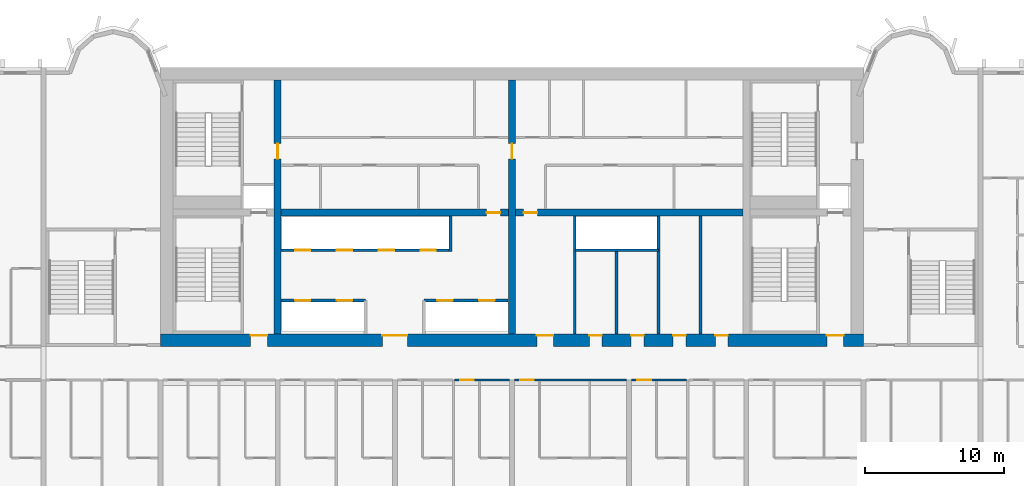
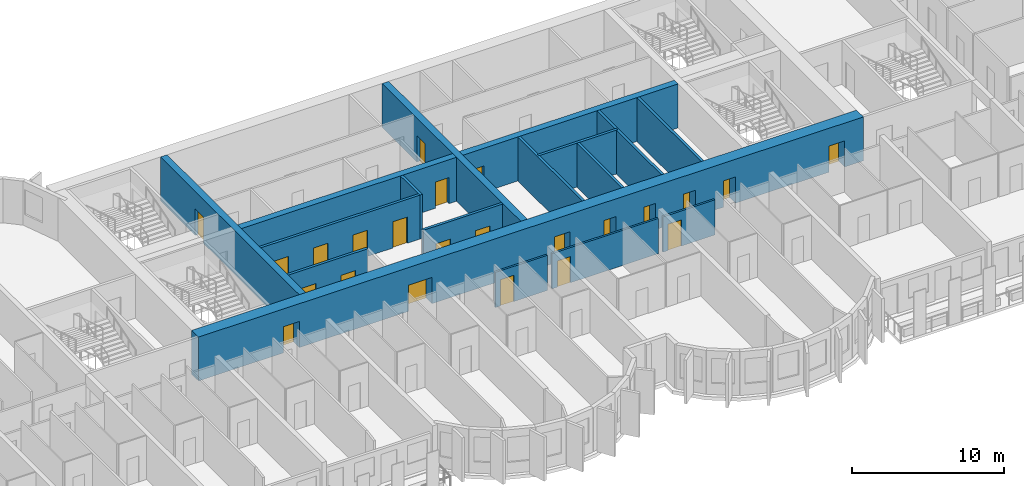
# One storey, part 6 of 15: 23 doors, 17 walls, 23 openings.
"""IFC4 building model written with IfcOpenShell, lengths in metres."""

import ifcopenshell
import ifcopenshell.guid

model = None  # the IFC model being written
_history = None  # IfcOwnerHistory: only IFC2X3 demands one
_inside = {}  # id of a spatial element -> (the spatial element, [elements in it])
_under = {}  # id of a project, library or spatial element -> (it, [spatial elements below it])
_declared = {}  # id of a project -> (the project, [libraries it declares])
_typed = {}  # id of a type object -> (the type object, [elements of that type])
_made_of = {}  # id of a material, layer set ... -> (it, [elements and type objects made of it])


def new_model(schema):
    """Start an empty IFC model of exactly this schema.

    Asked for "IFC4X3", IfcOpenShell would pick the latest addendum, in which some entities
    have other attributes; the version numbers below select the first issue.
    IFC2X3 requires an IfcOwnerHistory on every rooted entity: one is made here for all.
    """
    global model, _history
    if schema == "IFC4X3":
        model = ifcopenshell.file(schema_version=(4, 3, 0, 0))
    else:
        model = ifcopenshell.file(schema=schema)
    _inside.clear()
    _under.clear()
    _declared.clear()
    _typed.clear()
    _made_of.clear()
    _history = None
    if model.schema == "IFC2X3":
        org = make("IfcOrganization", Name="unknown")
        user = make(
            "IfcPersonAndOrganization",
            ThePerson=make("IfcPerson", FamilyName="unknown"),
            TheOrganization=org,
        )
        app = make(
            "IfcApplication",
            ApplicationDeveloper=org,
            Version="unknown",
            ApplicationFullName="unknown",
            ApplicationIdentifier="unknown",
        )
        _history = make(
            "IfcOwnerHistory",
            OwningUser=user,
            OwningApplication=app,
            ChangeAction="ADDED",
            CreationDate=0,
        )
    return model


def make(cls, **values):
    """One entity of the class cls with the attributes given. An attribute that is None is left unset."""
    return model.create_entity(
        cls, **{name: value for name, value in values.items() if value is not None}
    )


def rooted(cls, **values):
    """An entity with a GlobalId (a new one), such as an element, a storey or a relation."""
    return make(cls, GlobalId=ifcopenshell.guid.new(), OwnerHistory=_history, **values)


def si_unit(unit_type, name, prefix=None):
    """IfcSIUnit, for example si_unit("LENGTHUNIT", "METRE", prefix="MILLI")."""
    return make("IfcSIUnit", UnitType=unit_type, Prefix=prefix, Name=name)


def assignment(units):
    """IfcUnitAssignment: the units of a project."""
    return None if units is None else make("IfcUnitAssignment", Units=units)


def point(xyz):
    """IfcCartesianPoint."""
    return None if xyz is None else make("IfcCartesianPoint", Coordinates=xyz)


def direction(xyz):
    """IfcDirection."""
    return None if xyz is None else make("IfcDirection", DirectionRatios=xyz)


def frame(location, z_axis=None, x_axis=None):
    """IfcAxis2Placement3D, a coordinate frame: its origin and axes. An axis left out is left unset."""
    return make(
        "IfcAxis2Placement3D",
        Location=point(location),
        Axis=direction(z_axis),
        RefDirection=direction(x_axis),
    )


def frame_2d(location, x_axis=None):
    """IfcAxis2Placement2D, a coordinate frame in the plane: its origin and x axis."""
    return make(
        "IfcAxis2Placement2D", Location=point(location), RefDirection=direction(x_axis)
    )


def origin():
    """The frame at (0, 0, 0) with its axes left unset."""
    return frame((0.0, 0.0, 0.0))


def place(relative_to, where):
    """IfcLocalPlacement: puts the frame where relative to a parent placement (None: the world)."""
    return make(
        "IfcLocalPlacement", PlacementRelTo=relative_to, RelativePlacement=where
    )


def context(
    kind, dimensions, precision=None, world=None, true_north=None, identifier=None
):
    """IfcGeometricRepresentationContext, for example the 3D "Model" context."""
    return make(
        "IfcGeometricRepresentationContext",
        ContextIdentifier=identifier,
        ContextType=kind,
        CoordinateSpaceDimension=dimensions,
        Precision=precision,
        WorldCoordinateSystem=world,
        TrueNorth=true_north,
    )


def subcontext(parent, identifier, kind, view, scale=None):
    """IfcGeometricRepresentationSubContext, for example "Body" below "Model"."""
    return make(
        "IfcGeometricRepresentationSubContext",
        ContextIdentifier=identifier,
        ContextType=kind,
        ParentContext=parent,
        TargetScale=scale,
        TargetView=view,
    )


def project(units=None, contexts=None):
    """IfcProject with its units and contexts."""
    return rooted(
        "IfcProject",
        Name="project",
        RepresentationContexts=contexts,
        UnitsInContext=assignment(units),
    )


def spatial(cls, under=None, at=None, **own):
    """A site, building, storey or space (cls), placed at a placement, below another one or the project."""
    s = rooted(cls, ObjectPlacement=at, **own)
    if under is not None:
        _under.setdefault(under.id(), (under, []))[1].append(s)
    return s


def profile(cls, at=None, kind="AREA", **sizes):
    """A parametric profile (cls). Its sizes go by their IFC names, for example OverallWidth=200.0."""
    return make(cls, ProfileType=kind, Position=at, **sizes)


def rectangle(**sizes):
    """IfcRectangleProfileDef."""
    return profile("IfcRectangleProfileDef", **sizes)


def extrude(swept, where, along, depth):
    """IfcExtrudedAreaSolid: the profile swept, set in the frame where, extruded along a direction by depth."""
    return make(
        "IfcExtrudedAreaSolid",
        SweptArea=swept,
        Position=where,
        ExtrudedDirection=direction(along),
        Depth=depth,
    )


def shape(context_of_items, identifier, shape_type, items):
    """IfcShapeRepresentation: the items that make up one representation, for example the "Body"."""
    return make(
        "IfcShapeRepresentation",
        ContextOfItems=context_of_items,
        RepresentationIdentifier=identifier,
        RepresentationType=shape_type,
        Items=items,
    )


def source(mapping_origin, context_of_items, identifier, shape_type, items):
    """IfcRepresentationMap: a shape defined once, which mapped items show again and again."""
    return make(
        "IfcRepresentationMap",
        MappingOrigin=mapping_origin,
        MappedRepresentation=shape(context_of_items, identifier, shape_type, items),
    )


def transform(
    local_origin,
    x_axis=None,
    y_axis=None,
    z_axis=None,
    scale=None,
    scale2=None,
    scale3=None,
    uniform=True,
):
    """IfcCartesianTransformationOperator3D, or its non-uniform kind. x_axis, y_axis, z_axis: its Axis1, 2, 3."""
    if uniform:
        return make(
            "IfcCartesianTransformationOperator3D",
            Axis1=direction(x_axis),
            Axis2=direction(y_axis),
            LocalOrigin=point(local_origin),
            Scale=scale,
            Axis3=direction(z_axis),
        )
    return make(
        "IfcCartesianTransformationOperator3DnonUniform",
        Axis1=direction(x_axis),
        Axis2=direction(y_axis),
        LocalOrigin=point(local_origin),
        Scale=scale,
        Axis3=direction(z_axis),
        Scale2=scale2,
        Scale3=scale3,
    )


def mapped(mapping_source, mapping_target):
    """IfcMappedItem: shows the shape of a source again, moved by a transform."""
    return make(
        "IfcMappedItem", MappingSource=mapping_source, MappingTarget=mapping_target
    )


def material(Name=None, Category=None):
    """IfcMaterial."""
    return make("IfcMaterial", Name=Name, Category=Category)


def layer(
    of_material, thickness, ventilated=None, Name=None, Category=None, Priority=None
):
    """IfcMaterialLayer: one layer of a wall or slab, of a material (None: an air gap)."""
    return make(
        "IfcMaterialLayer",
        Material=of_material,
        LayerThickness=thickness,
        IsVentilated=ventilated,
        Name=Name,
        Category=Category,
        Priority=Priority,
    )


def layer_set(layers, Name=None):
    """IfcMaterialLayerSet."""
    return make("IfcMaterialLayerSet", MaterialLayers=layers, LayerSetName=Name)


def made_of(thing, what):
    """Note that an element or type object is made of a material, layer set ...; save() writes the relation."""
    if what is not None:
        _made_of.setdefault(what.id(), (what, []))[1].append(thing)
    return thing


def type_object(cls, material=None, **own):
    """A type object (cls), such as IfcWallType, which elements share."""
    return made_of(rooted(cls, **own), material)


def element(
    cls,
    number,
    at=None,
    inside=None,
    cuts=None,
    type_object=None,
    material=None,
    context=None,
    identifier="Body",
    shape_type=None,
    held_by="IfcProductDefinitionShape",
    body=None,
    shapes=None,
    **own,
):
    """One element of the class cls, such as IfcWall. Its Tag is "e" and its number.

    at: its placement. inside: the storey or other place that contains it. cuts: it is an
    opening in that element (IfcRelVoidsElement). A single representation is given by context,
    identifier, shape_type and body (its items); several are given by shapes. held_by: the class
    of the entity that holds the representations. save() writes the other relations.
    """
    e = rooted(cls, Tag="e%d" % number, ObjectPlacement=at, **own)
    if body is not None:
        shapes = [shape(context, identifier, shape_type, body)]
    if shapes is not None:
        e.Representation = make(held_by, Representations=shapes)
    if inside is not None:
        _inside.setdefault(inside.id(), (inside, []))[1].append(e)
    if cuts is not None:
        rooted(
            "IfcRelVoidsElement", RelatingBuildingElement=cuts, RelatedOpeningElement=e
        )
    if type_object is not None:
        _typed.setdefault(type_object.id(), (type_object, []))[1].append(e)
    return made_of(e, material)


def fill(opening, filler):
    """IfcRelFillsElement: the door or window that sits in an opening."""
    return rooted(
        "IfcRelFillsElement",
        RelatingOpeningElement=opening,
        RelatedBuildingElement=filler,
    )


def aggregate(whole, parts):
    """IfcRelAggregates: a whole, such as a stair, and the parts it consists of."""
    return rooted("IfcRelAggregates", RelatingObject=whole, RelatedObjects=parts)


def save(model, path):
    """Write the relations noted so far, then the file.

    IfcRelAggregates (storeys below a building ...), IfcRelContainedInSpatialStructure (elements
    in a storey), IfcRelDefinesByType, IfcRelAssociatesMaterial and IfcRelDeclares: one each for
    every whole, place, type object, material and project.
    """
    for whole, parts in _under.values():
        aggregate(whole, parts)
    for where, things in _inside.values():
        rooted(
            "IfcRelContainedInSpatialStructure",
            RelatedElements=things,
            RelatingStructure=where,
        )
    for kind, things in _typed.values():
        rooted("IfcRelDefinesByType", RelatedObjects=things, RelatingType=kind)
    for what, things in _made_of.values():
        rooted("IfcRelAssociatesMaterial", RelatedObjects=things, RelatingMaterial=what)
    for by, libraries in _declared.values():
        rooted("IfcRelDeclares", RelatingContext=by, RelatedDefinitions=libraries)
    model.write(path)


model = new_model("IFC4")

# Units and contexts
model_context = context("Model", 3, precision=1e-05, world=origin(), true_north=direction((0.0, 1.0)))
body_context = subcontext(model_context, "Body", "Model", "MODEL_VIEW")
ifc_project = project(units=[si_unit("LENGTHUNIT", "METRE"), si_unit("AREAUNIT", "SQUARE_METRE"), si_unit("VOLUMEUNIT", "CUBIC_METRE"), si_unit("PLANEANGLEUNIT", "RADIAN"), si_unit("MASSUNIT", "GRAM", prefix="KILO")], contexts=[model_context])

# Site, building, storey
site_placement = place(None, origin())
site = spatial("IfcSite", under=ifc_project, at=site_placement, CompositionType="ELEMENT")
building_placement = place(site_placement, origin())
building = spatial("IfcBuilding", under=site, at=building_placement, Name="Vanashikhar Sky Hotel", CompositionType="ELEMENT")
storey_placement = place(building_placement, frame((0.0, 0.0, 110.39990234375)))
storey = spatial("IfcBuildingStorey", under=building, at=storey_placement, Name="L26", CompositionType="ELEMENT", Elevation=110.39990234375)

# Wall, openings, doors
ifc_material_1 = material(Name="Concrete M70", Category="concrete")
ifc_layer_1 = layer(ifc_material_1, 0.89990234375)
ifc_layer_set_1 = layer_set([ifc_layer_1], Name="RC core shell wall 900 Concrete M70")
wall_type_1 = type_object("IfcWallType", Name="RC core shell wall 900 Concrete M70", PredefinedType="SHEAR", material=ifc_layer_set_1)
shared_shape_1 = source(origin(), body_context, "Body", "SweptSolid", [
    extrude(rectangle(XDim=50.400146484375, YDim=0.89990234375, at=frame_2d((25.2001953125, 0.0))), origin(), (0.0, 0.0, 1.0), 3.52001953125),
])
wall_1_placement = place(storey_placement, frame((25.199951171875, 22.449951171875, 0.0), z_axis=(0.0, 0.0, 1.0), x_axis=(1.0, 0.0, 0.0)))
wall_1 = element("IfcWall", 1, at=wall_1_placement, inside=storey, type_object=wall_type_1, Name="KW-L26-KS", PredefinedType="SHEAR", context=body_context, shape_type="MappedRepresentation", body=[
    mapped(shared_shape_1, transform((0.0, 0.0, 0.0), scale=1.0)),
])
shared_shape_2 = source(origin(), body_context, "Body", "SweptSolid", [
    extrude(rectangle(XDim=1.800048828125, YDim=2.10009765625, at=frame_2d((0.89990234375, 1.050048828125))), frame((0.0, 0.4599609375, 0.0), z_axis=(0.0, -1.0, 0.0), x_axis=(1.0, 0.0, 0.0)), (0.0, 0.0, 1.0), 0.919921875),
])
opening_1_placement = place(wall_1_placement, frame((15.89990234375, 0.0, 0.0)))
opening_1 = element("IfcOpeningElement", 2, at=opening_1_placement, cuts=wall_1, Name="Opening DC-3-A", PredefinedType="OPENING", context=body_context, shape_type="MappedRepresentation", body=[
    mapped(shared_shape_2, transform((0.0, 0.0, 0.0), scale=1.0)),
])
shared_shape_3 = source(origin(), body_context, "Body", "SweptSolid", [
    extrude(rectangle(XDim=1.199951171875, YDim=2.10009765625, at=frame_2d((0.60009765625, 1.050048828125))), frame((0.0, 0.4599609375, 0.0), z_axis=(0.0, -1.0, 0.0), x_axis=(1.0, 0.0, 0.0)), (0.0, 0.0, 1.0), 0.919921875),
])
opening_2_placement = place(wall_1_placement, frame((26.97509765625, 0.0, 0.0)))
opening_2 = element("IfcOpeningElement", 3, at=opening_2_placement, cuts=wall_1, Name="Opening DC-4-B", PredefinedType="OPENING", context=body_context, shape_type="MappedRepresentation", body=[
    mapped(shared_shape_3, transform((0.0, 0.0, 0.0), scale=1.0)),
])
shared_shape_4 = source(origin(), body_context, "Body", "SweptSolid", [
    extrude(rectangle(XDim=0.89990234375, YDim=2.10009765625, at=frame_2d((0.449951171875, 1.050048828125))), frame((0.0, 0.4599609375, 0.0), z_axis=(0.0, -1.0, 0.0), x_axis=(1.0, 0.0, 0.0)), (0.0, 0.0, 1.0), 0.919921875),
])
opening_3_placement = place(wall_1_placement, frame((33.75, 0.0, 0.0)))
opening_3 = element("IfcOpeningElement", 4, at=opening_3_placement, cuts=wall_1, Name="Opening DC-4-A", PredefinedType="OPENING", context=body_context, shape_type="MappedRepresentation", body=[
    mapped(shared_shape_4, transform((0.0, 0.0, 0.0), scale=1.0)),
])
opening_4_placement = place(wall_1_placement, frame((30.75, 0.0, 0.0)))
opening_4 = element("IfcOpeningElement", 5, at=opening_4_placement, cuts=wall_1, Name="Opening DC-4-A", PredefinedType="OPENING", context=body_context, shape_type="MappedRepresentation", body=[
    mapped(shared_shape_4, transform((0.0, 0.0, 0.0), scale=1.0)),
])
opening_5_placement = place(wall_1_placement, frame((39.7880859375, 0.0, 0.0)))
opening_5 = element("IfcOpeningElement", 6, at=opening_5_placement, cuts=wall_1, Name="Opening DC-4-A", PredefinedType="OPENING", context=body_context, shape_type="MappedRepresentation", body=[
    mapped(shared_shape_4, transform((0.0, 0.0, 0.0), scale=1.0)),
])
opening_6_placement = place(wall_1_placement, frame((36.761962890625, 0.0, 0.0)))
opening_6 = element("IfcOpeningElement", 7, at=opening_6_placement, cuts=wall_1, Name="Opening DC-4-A", PredefinedType="OPENING", context=body_context, shape_type="MappedRepresentation", body=[
    mapped(shared_shape_4, transform((0.0, 0.0, 0.0), scale=1.0)),
])
opening_7_placement = place(wall_1_placement, frame((6.449951171875, 0.0, 0.0)))
opening_7 = element("IfcOpeningElement", 8, at=opening_7_placement, cuts=wall_1, Name="Opening DC-2", PredefinedType="OPENING", context=body_context, shape_type="MappedRepresentation", body=[
    mapped(shared_shape_3, transform((0.0, 0.0, 0.0), scale=1.0)),
])
opening_8_placement = place(wall_1_placement, frame((47.77490234375, 0.0, 0.0)))
opening_8 = element("IfcOpeningElement", 9, at=opening_8_placement, cuts=wall_1, Name="Opening DC-2", PredefinedType="OPENING", context=body_context, shape_type="MappedRepresentation", body=[
    mapped(shared_shape_3, transform((0.0, 0.0, 0.0), scale=1.0)),
])
ifc_material_2 = material(Name="Glass", Category="glass")
door_type_1 = type_object("IfcDoorType", Name="Lift lobby entrance door 1800 FD30S", OperationType="NOTDEFINED", PredefinedType="DOOR", material=ifc_material_2)
shared_shape_5 = source(origin(), body_context, "Body", "SweptSolid", [
    extrude(rectangle(XDim=1.800048828125, YDim=2.10009765625, at=frame_2d((0.89990234375, 1.050048828125))), frame((0.0, 0.375, 0.0), z_axis=(0.0, -1.0, 0.0), x_axis=(1.0, 0.0, 0.0)), (0.0, 0.0, 1.0), 0.050048828125),
])
door_1_placement = place(opening_1_placement, origin())
door_1 = element("IfcDoor", 10, at=door_1_placement, inside=storey, type_object=door_type_1, Name="Lift lobby entrance door 1800 FD30S", OperationType="DOUBLE_DOOR_SINGLE_SWING", OverallHeight=2.10009765625, OverallWidth=1.800048828125, PredefinedType="DOOR", context=body_context, shape_type="MappedRepresentation", body=[
    mapped(shared_shape_5, transform((0.0, 0.0, 0.0), scale=1.0)),
])
fill(opening_1, door_1)
ifc_material_3 = material(Name="Steel", Category="steel")
door_type_2 = type_object("IfcDoorType", Name="Service door 1200 FD60", OperationType="NOTDEFINED", PredefinedType="DOOR", material=ifc_material_3)
shared_shape_6 = source(origin(), body_context, "Body", "SweptSolid", [
    extrude(rectangle(XDim=1.199951171875, YDim=2.10009765625, at=frame_2d((0.60009765625, 1.050048828125))), frame((0.0, 0.375, 0.0), z_axis=(0.0, -1.0, 0.0), x_axis=(1.0, 0.0, 0.0)), (0.0, 0.0, 1.0), 0.050048828125),
])
door_2_placement = place(opening_2_placement, origin())
door_2 = element("IfcDoor", 11, at=door_2_placement, inside=storey, type_object=door_type_2, Name="Service door 1200 FD60", OperationType="SINGLE_SWING_RIGHT", OverallHeight=2.10009765625, OverallWidth=1.199951171875, PredefinedType="DOOR", context=body_context, shape_type="MappedRepresentation", body=[
    mapped(shared_shape_6, transform((0.0, 0.0, 0.0), scale=1.0)),
])
fill(opening_2, door_2)
door_type_3 = type_object("IfcDoorType", Name="Firefighting lobby door 1200 FD120", OperationType="NOTDEFINED", PredefinedType="DOOR", material=ifc_material_3)
door_3_placement = place(opening_7_placement, origin())
door_3 = element("IfcDoor", 12, at=door_3_placement, inside=storey, type_object=door_type_3, Name="Firefighting lobby door 1200 FD120", OperationType="SINGLE_SWING_LEFT", OverallHeight=2.10009765625, OverallWidth=1.199951171875, PredefinedType="DOOR", context=body_context, shape_type="MappedRepresentation", body=[
    mapped(shared_shape_6, transform((0.0, 0.0, 0.0), scale=1.0)),
])
fill(opening_7, door_3)
door_4_placement = place(opening_8_placement, origin())
door_4 = element("IfcDoor", 13, at=door_4_placement, inside=storey, type_object=door_type_3, Name="Firefighting lobby door 1200 FD120", OperationType="SINGLE_SWING_LEFT", OverallHeight=2.10009765625, OverallWidth=1.199951171875, PredefinedType="DOOR", context=body_context, shape_type="MappedRepresentation", body=[
    mapped(shared_shape_6, transform((0.0, 0.0, 0.0), scale=1.0)),
])
fill(opening_8, door_4)
door_type_4 = type_object("IfcDoorType", Name="Service door 900 FD60", OperationType="NOTDEFINED", PredefinedType="DOOR", material=ifc_material_3)
shared_shape_7 = source(origin(), body_context, "Body", "SweptSolid", [
    extrude(rectangle(XDim=0.89990234375, YDim=2.10009765625, at=frame_2d((0.449951171875, 1.050048828125))), frame((0.0, 0.375, 0.0), z_axis=(0.0, -1.0, 0.0), x_axis=(1.0, 0.0, 0.0)), (0.0, 0.0, 1.0), 0.050048828125),
])
door_5_placement = place(opening_3_placement, origin())
door_5 = element("IfcDoor", 14, at=door_5_placement, inside=storey, type_object=door_type_4, Name="Service door 900 FD60", OperationType="SINGLE_SWING_RIGHT", OverallHeight=2.10009765625, OverallWidth=0.89990234375, PredefinedType="DOOR", context=body_context, shape_type="MappedRepresentation", body=[
    mapped(shared_shape_7, transform((0.0, 0.0, 0.0), scale=1.0)),
])
fill(opening_3, door_5)
door_6_placement = place(opening_4_placement, origin())
door_6 = element("IfcDoor", 15, at=door_6_placement, inside=storey, type_object=door_type_4, Name="Service door 900 FD60", OperationType="SINGLE_SWING_LEFT", OverallHeight=2.10009765625, OverallWidth=0.89990234375, PredefinedType="DOOR", context=body_context, shape_type="MappedRepresentation", body=[
    mapped(shared_shape_7, transform((0.0, 0.0, 0.0), scale=1.0)),
])
fill(opening_4, door_6)
door_7_placement = place(opening_5_placement, origin())
door_7 = element("IfcDoor", 16, at=door_7_placement, inside=storey, type_object=door_type_4, Name="Service door 900 FD60", OperationType="SINGLE_SWING_RIGHT", OverallHeight=2.10009765625, OverallWidth=0.89990234375, PredefinedType="DOOR", context=body_context, shape_type="MappedRepresentation", body=[
    mapped(shared_shape_7, transform((0.0, 0.0, 0.0), scale=1.0)),
])
fill(opening_5, door_7)
door_8_placement = place(opening_6_placement, origin())
door_8 = element("IfcDoor", 17, at=door_8_placement, inside=storey, type_object=door_type_4, Name="Service door 900 FD60", OperationType="SINGLE_SWING_LEFT", OverallHeight=2.10009765625, OverallWidth=0.89990234375, PredefinedType="DOOR", context=body_context, shape_type="MappedRepresentation", body=[
    mapped(shared_shape_7, transform((0.0, 0.0, 0.0), scale=1.0)),
])
fill(opening_6, door_8)

# Wall, opening, door
ifc_layer_2 = layer(ifc_material_1, 0.5)
ifc_layer_set_2 = layer_set([ifc_layer_2], Name="RC core inner wall 500 Concrete M70")
wall_type_2 = type_object("IfcWallType", Name="RC core inner wall 500 Concrete M70", PredefinedType="SHEAR", material=ifc_layer_set_2)
shared_shape_8 = source(origin(), body_context, "Body", "SweptSolid", [
    extrude(rectangle(XDim=18.2001953125, YDim=0.5, at=frame_2d((9.10009765625, 0.0))), origin(), (0.0, 0.0, 1.0), 3.52001953125),
])
wall_2_placement = place(storey_placement, frame((33.60009765625, 22.89990234375, 0.0), z_axis=(0.0, 0.0, 1.0), x_axis=(0.0, 1.0, 0.0)))
wall_2 = element("IfcWall", 18, at=wall_2_placement, inside=storey, type_object=wall_type_2, Name="KW-L26-KX1", PredefinedType="SHEAR", context=body_context, shape_type="MappedRepresentation", body=[
    mapped(shared_shape_8, transform((0.0, 0.0, 0.0), scale=1.0)),
])
shared_shape_9 = source(origin(), body_context, "Body", "SweptSolid", [
    extrude(rectangle(XDim=1.10009765625, YDim=2.10009765625, at=frame_2d((0.550048828125, 1.050048828125))), frame((0.0, 0.260009765625, 0.0), z_axis=(0.0, -1.0, 0.0), x_axis=(1.0, 0.0, 0.0)), (0.0, 0.0, 1.0), 0.52001953125),
])
opening_9_placement = place(wall_2_placement, frame((12.550048828125, 0.0, 0.0)))
opening_9 = element("IfcOpeningElement", 19, at=opening_9_placement, cuts=wall_2, Name="Opening DC-4-C", PredefinedType="OPENING", context=body_context, shape_type="MappedRepresentation", body=[
    mapped(shared_shape_9, transform((0.0, 0.0, 0.0), scale=1.0)),
])
door_type_5 = type_object("IfcDoorType", Name="Service door 1100 FD60", OperationType="NOTDEFINED", PredefinedType="DOOR", material=ifc_material_3)
shared_shape_10 = source(origin(), body_context, "Body", "SweptSolid", [
    extrude(rectangle(XDim=1.10009765625, YDim=2.10009765625, at=frame_2d((0.550048828125, 1.050048828125))), frame((0.0, 0.02490234375, 0.0), z_axis=(0.0, -1.0, 0.0), x_axis=(1.0, 0.0, 0.0)), (0.0, 0.0, 1.0), 0.050048828125),
])
door_9_placement = place(opening_9_placement, origin())
door_9 = element("IfcDoor", 20, at=door_9_placement, inside=storey, type_object=door_type_5, Name="Service door 1100 FD60", OperationType="SINGLE_SWING_LEFT", OverallHeight=2.10009765625, OverallWidth=1.10009765625, PredefinedType="DOOR", context=body_context, shape_type="MappedRepresentation", body=[
    mapped(shared_shape_10, transform((0.0, 0.0, 0.0), scale=1.0)),
])
fill(opening_9, door_9)

wall_3_placement = place(storey_placement, frame((50.39990234375, 22.89990234375, 0.0), z_axis=(0.0, 0.0, 1.0), x_axis=(0.0, 1.0, 0.0)))
wall_3 = element("IfcWall", 21, at=wall_3_placement, inside=storey, type_object=wall_type_2, Name="KW-L26-KX2", PredefinedType="SHEAR", context=body_context, shape_type="MappedRepresentation", body=[
    mapped(shared_shape_8, transform((0.0, 0.0, 0.0), scale=1.0)),
])
opening_10_placement = place(wall_3_placement, frame((12.550048828125, 0.0, 0.0)))
opening_10 = element("IfcOpeningElement", 22, at=opening_10_placement, cuts=wall_3, Name="Opening DC-4-C", PredefinedType="OPENING", context=body_context, shape_type="MappedRepresentation", body=[
    mapped(shared_shape_9, transform((0.0, 0.0, 0.0), scale=1.0)),
])
door_10_placement = place(opening_10_placement, origin())
door_10 = element("IfcDoor", 23, at=door_10_placement, inside=storey, type_object=door_type_5, Name="Service door 1100 FD60", OperationType="SINGLE_SWING_RIGHT", OverallHeight=2.10009765625, OverallWidth=1.10009765625, PredefinedType="DOOR", context=body_context, shape_type="MappedRepresentation", body=[
    mapped(shared_shape_10, transform((0.0, 0.0, 0.0), scale=1.0)),
])
fill(opening_10, door_10)

shared_shape_11 = source(origin(), body_context, "Body", "SweptSolid", [
    extrude(rectangle(XDim=16.2998046875, YDim=0.5, at=frame_2d((8.14990234375, 0.0))), origin(), (0.0, 0.0, 1.0), 3.52001953125),
])
wall_4_placement = place(storey_placement, frame((33.85009765625, 31.60009765625, 0.0), z_axis=(0.0, 0.0, 1.0), x_axis=(1.0, 0.0, 0.0)))
wall_4 = element("IfcWall", 24, at=wall_4_placement, inside=storey, type_object=wall_type_2, Name="KW-L26-KY2", PredefinedType="SHEAR", context=body_context, shape_type="MappedRepresentation", body=[
    mapped(shared_shape_11, transform((0.0, 0.0, 0.0), scale=1.0)),
])
shared_shape_12 = source(origin(), body_context, "Body", "SweptSolid", [
    extrude(rectangle(XDim=1.0, YDim=2.10009765625, at=frame_2d((0.5, 1.050048828125))), frame((0.0, 0.260009765625, 0.0), z_axis=(0.0, -1.0, 0.0), x_axis=(1.0, 0.0, 0.0)), (0.0, 0.0, 1.0), 0.52001953125),
])
opening_11_placement = place(wall_4_placement, frame((14.72509765625, 0.0, 0.0)))
opening_11 = element("IfcOpeningElement", 25, at=opening_11_placement, cuts=wall_4, Name="Opening DC-4", PredefinedType="OPENING", context=body_context, shape_type="MappedRepresentation", body=[
    mapped(shared_shape_12, transform((0.0, 0.0, 0.0), scale=1.0)),
])
door_type_6 = type_object("IfcDoorType", Name="Service door 1000 FD60", OperationType="NOTDEFINED", PredefinedType="DOOR", material=ifc_material_3)
shared_shape_13 = source(origin(), body_context, "Body", "SweptSolid", [
    extrude(rectangle(XDim=1.0, YDim=2.10009765625, at=frame_2d((0.5, 1.050048828125))), frame((0.0, 0.02490234375, 0.0), z_axis=(0.0, -1.0, 0.0), x_axis=(1.0, 0.0, 0.0)), (0.0, 0.0, 1.0), 0.050048828125),
])
door_11_placement = place(opening_11_placement, origin())
door_11 = element("IfcDoor", 26, at=door_11_placement, inside=storey, type_object=door_type_6, Name="Service door 1000 FD60", OperationType="SINGLE_SWING_LEFT", OverallHeight=2.10009765625, OverallWidth=1.0, PredefinedType="DOOR", context=body_context, shape_type="MappedRepresentation", body=[
    mapped(shared_shape_13, transform((0.0, 0.0, 0.0), scale=1.0)),
])
fill(opening_11, door_11)

shared_shape_14 = source(origin(), body_context, "Body", "SweptSolid", [
    extrude(rectangle(XDim=16.300048828125, YDim=0.5, at=frame_2d((8.14990234375, 0.0))), origin(), (0.0, 0.0, 1.0), 3.52001953125),
])
wall_5_placement = place(storey_placement, frame((50.64990234375, 31.60009765625, 0.0), z_axis=(0.0, 0.0, 1.0), x_axis=(1.0, 0.0, 0.0)))
wall_5 = element("IfcWall", 27, at=wall_5_placement, inside=storey, type_object=wall_type_2, Name="KW-L26-KY3", PredefinedType="SHEAR", context=body_context, shape_type="MappedRepresentation", body=[
    mapped(shared_shape_14, transform((0.0, 0.0, 0.0), scale=1.0)),
])
opening_12_placement = place(wall_5_placement, frame((0.574951171875, 0.0, 0.0)))
opening_12 = element("IfcOpeningElement", 28, at=opening_12_placement, cuts=wall_5, Name="Opening DC-4", PredefinedType="OPENING", context=body_context, shape_type="MappedRepresentation", body=[
    mapped(shared_shape_12, transform((0.0, 0.0, 0.0), scale=1.0)),
])
door_12_placement = place(opening_12_placement, origin())
door_12 = element("IfcDoor", 29, at=door_12_placement, inside=storey, type_object=door_type_6, Name="Service door 1000 FD60", OperationType="SINGLE_SWING_RIGHT", OverallHeight=2.10009765625, OverallWidth=1.0, PredefinedType="DOOR", context=body_context, shape_type="MappedRepresentation", body=[
    mapped(shared_shape_13, transform((0.0, 0.0, 0.0), scale=1.0)),
])
fill(opening_12, door_12)

# Wall, openings, doors
ifc_material_4 = material(Name="Concrete M40", Category="concrete")
ifc_layer_3 = layer(ifc_material_4, 0.199951171875)
ifc_layer_set_3 = layer_set([ifc_layer_3], Name="Shaft wall 200")
wall_type_3 = type_object("IfcWallType", Name="Shaft wall 200", PredefinedType="SOLIDWALL", material=ifc_layer_set_3)
shared_shape_15 = source(origin(), body_context, "Body", "SweptSolid", [
    extrude(rectangle(XDim=6.0, YDim=0.199951171875, at=frame_2d((3.0, 0.0))), origin(), (0.0, 0.0, 1.0), 3.52001953125),
])
wall_6_placement = place(storey_placement, frame((44.10009765625, 25.300048828125, 0.0), z_axis=(0.0, 0.0, 1.0), x_axis=(1.0, 0.0, 0.0)))
wall_6 = element("IfcWall", 30, at=wall_6_placement, inside=storey, type_object=wall_type_3, Name="Shaft wall 200", PredefinedType="SOLIDWALL", context=body_context, shape_type="MappedRepresentation", body=[
    mapped(shared_shape_15, transform((0.0, 0.0, 0.0), scale=1.0)),
])
shared_shape_16 = source(origin(), body_context, "Body", "SweptSolid", [
    extrude(rectangle(XDim=1.10009765625, YDim=2.10009765625, at=frame_2d((0.550048828125, 1.050048828125))), frame((0.0, 0.10986328125, 0.0), z_axis=(0.0, -1.0, 0.0), x_axis=(1.0, 0.0, 0.0)), (0.0, 0.0, 1.0), 0.219970703125),
])
opening_13_placement = place(wall_6_placement, frame((0.949951171875, 0.0, 0.0)))
opening_13 = element("IfcOpeningElement", 31, at=opening_13_placement, cuts=wall_6, Name="Opening LD", PredefinedType="OPENING", context=body_context, shape_type="MappedRepresentation", body=[
    mapped(shared_shape_16, transform((0.0, 0.0, 0.0), scale=1.0)),
])
opening_14_placement = place(wall_6_placement, frame((3.949951171875, 0.0, 0.0)))
opening_14 = element("IfcOpeningElement", 32, at=opening_14_placement, cuts=wall_6, Name="Opening LD", PredefinedType="OPENING", context=body_context, shape_type="MappedRepresentation", body=[
    mapped(shared_shape_16, transform((0.0, 0.0, 0.0), scale=1.0)),
])
ifc_material_5 = material(Name="Stainless steel", Category="steel")
door_type_7 = type_object("IfcDoorType", Name="Lift landing door 1100", OperationType="NOTDEFINED", PredefinedType="DOOR", material=ifc_material_5)
door_13_placement = place(opening_13_placement, origin())
door_13 = element("IfcDoor", 33, at=door_13_placement, inside=storey, type_object=door_type_7, Name="Lift landing door 1100", OperationType="SLIDING_TO_LEFT", OverallHeight=2.10009765625, OverallWidth=1.10009765625, PredefinedType="DOOR", context=body_context, shape_type="MappedRepresentation", body=[
    mapped(shared_shape_10, transform((0.0, 0.0, 0.0), scale=1.0)),
])
fill(opening_13, door_13)
door_14_placement = place(opening_14_placement, origin())
door_14 = element("IfcDoor", 34, at=door_14_placement, inside=storey, type_object=door_type_7, Name="Lift landing door 1100", OperationType="SLIDING_TO_RIGHT", OverallHeight=2.10009765625, OverallWidth=1.10009765625, PredefinedType="DOOR", context=body_context, shape_type="MappedRepresentation", body=[
    mapped(shared_shape_10, transform((0.0, 0.0, 0.0), scale=1.0)),
])
fill(opening_14, door_14)

# Walls
wall_7_placement = place(storey_placement, frame((60.89990234375, 28.89990234375, 0.0), z_axis=(0.0, 0.0, 1.0), x_axis=(-1.0, 0.0, 0.0)))
element("IfcWall", 35, at=wall_7_placement, inside=storey, type_object=wall_type_3, Name="Shaft wall 200", PredefinedType="SOLIDWALL", context=body_context, shape_type="MappedRepresentation", body=[
    mapped(shared_shape_15, transform((0.0, 0.0, 0.0), scale=1.0)),
])
ifc_material_6 = material(Name="Gypsum board partition")
ifc_layer_4 = layer(ifc_material_6, 0.14990234375)
ifc_layer_set_4 = layer_set([ifc_layer_4], Name="Service partition 150")
wall_type_4 = type_object("IfcWallType", Name="Service partition 150", PredefinedType="PARTITIONING", material=ifc_layer_set_4)
wall_8_placement = place(storey_placement, frame((57.89990234375, 22.89990234375, 0.0), z_axis=(0.0, 0.0, 1.0), x_axis=(0.0, 1.0, 0.0)))
element("IfcWall", 36, at=wall_8_placement, inside=storey, type_object=wall_type_4, Name="Service partition 150", PredefinedType="PARTITIONING", context=body_context, shape_type="MappedRepresentation", body=[
    mapped(shared_shape_15, transform((0.0, 0.0, 0.0), scale=1.0)),
])

# Wall, openings, doors
shared_shape_17 = source(origin(), body_context, "Body", "SweptSolid", [
    extrude(rectangle(XDim=6.0498046875, YDim=0.199951171875, at=frame_2d((3.02490234375, 0.0))), origin(), (0.0, 0.0, 1.0), 3.52001953125),
])
wall_9_placement = place(storey_placement, frame((33.85009765625, 25.300048828125, 0.0), z_axis=(0.0, 0.0, 1.0), x_axis=(1.0, 0.0, 0.0)))
wall_9 = element("IfcWall", 37, at=wall_9_placement, inside=storey, type_object=wall_type_3, Name="Shaft wall 200", PredefinedType="SOLIDWALL", context=body_context, shape_type="MappedRepresentation", body=[
    mapped(shared_shape_17, transform((0.0, 0.0, 0.0), scale=1.0)),
])
opening_15_placement = place(wall_9_placement, frame((1.0, 0.0, 0.0)))
opening_15 = element("IfcOpeningElement", 38, at=opening_15_placement, cuts=wall_9, Name="Opening LD", PredefinedType="OPENING", context=body_context, shape_type="MappedRepresentation", body=[
    mapped(shared_shape_16, transform((0.0, 0.0, 0.0), scale=1.0)),
])
opening_16_placement = place(wall_9_placement, frame((4.0, 0.0, 0.0)))
opening_16 = element("IfcOpeningElement", 39, at=opening_16_placement, cuts=wall_9, Name="Opening LD", PredefinedType="OPENING", context=body_context, shape_type="MappedRepresentation", body=[
    mapped(shared_shape_16, transform((0.0, 0.0, 0.0), scale=1.0)),
])
door_15_placement = place(opening_15_placement, origin())
door_15 = element("IfcDoor", 40, at=door_15_placement, inside=storey, type_object=door_type_7, Name="Lift landing door 1100", OperationType="SLIDING_TO_LEFT", OverallHeight=2.10009765625, OverallWidth=1.10009765625, PredefinedType="DOOR", context=body_context, shape_type="MappedRepresentation", body=[
    mapped(shared_shape_10, transform((0.0, 0.0, 0.0), scale=1.0)),
])
fill(opening_15, door_15)
door_16_placement = place(opening_16_placement, origin())
door_16 = element("IfcDoor", 41, at=door_16_placement, inside=storey, type_object=door_type_7, Name="Lift landing door 1100", OperationType="SLIDING_TO_RIGHT", OverallHeight=2.10009765625, OverallWidth=1.10009765625, PredefinedType="DOOR", context=body_context, shape_type="MappedRepresentation", body=[
    mapped(shared_shape_10, transform((0.0, 0.0, 0.0), scale=1.0)),
])
fill(opening_16, door_16)

shared_shape_18 = source(origin(), body_context, "Body", "SweptSolid", [
    extrude(rectangle(XDim=12.0498046875, YDim=0.199951171875, at=frame_2d((6.02490234375, 0.0))), origin(), (0.0, 0.0, 1.0), 3.52001953125),
])
wall_10_placement = place(storey_placement, frame((33.85009765625, 28.89990234375, 0.0), z_axis=(0.0, 0.0, 1.0), x_axis=(1.0, 0.0, 0.0)))
wall_10 = element("IfcWall", 42, at=wall_10_placement, inside=storey, type_object=wall_type_3, Name="Shaft wall 200", PredefinedType="SOLIDWALL", context=body_context, shape_type="MappedRepresentation", body=[
    mapped(shared_shape_18, transform((0.0, 0.0, 0.0), scale=1.0)),
])
opening_17_placement = place(wall_10_placement, frame((1.0, 0.0, 0.0)))
opening_17 = element("IfcOpeningElement", 43, at=opening_17_placement, cuts=wall_10, Name="Opening LD", PredefinedType="OPENING", context=body_context, shape_type="MappedRepresentation", body=[
    mapped(shared_shape_16, transform((0.0, 0.0, 0.0), scale=1.0)),
])
opening_18_placement = place(wall_10_placement, frame((4.0, 0.0, 0.0)))
opening_18 = element("IfcOpeningElement", 44, at=opening_18_placement, cuts=wall_10, Name="Opening LD", PredefinedType="OPENING", context=body_context, shape_type="MappedRepresentation", body=[
    mapped(shared_shape_16, transform((0.0, 0.0, 0.0), scale=1.0)),
])
opening_19_placement = place(wall_10_placement, frame((7.0, 0.0, 0.0)))
opening_19 = element("IfcOpeningElement", 45, at=opening_19_placement, cuts=wall_10, Name="Opening LD", PredefinedType="OPENING", context=body_context, shape_type="MappedRepresentation", body=[
    mapped(shared_shape_16, transform((0.0, 0.0, 0.0), scale=1.0)),
])
opening_20_placement = place(wall_10_placement, frame((10.0, 0.0, 0.0)))
opening_20 = element("IfcOpeningElement", 46, at=opening_20_placement, cuts=wall_10, Name="Opening LD", PredefinedType="OPENING", context=body_context, shape_type="MappedRepresentation", body=[
    mapped(shared_shape_16, transform((0.0, 0.0, 0.0), scale=1.0)),
])
door_17_placement = place(opening_17_placement, origin())
door_17 = element("IfcDoor", 47, at=door_17_placement, inside=storey, type_object=door_type_7, Name="Lift landing door 1100", OperationType="SLIDING_TO_LEFT", OverallHeight=2.10009765625, OverallWidth=1.10009765625, PredefinedType="DOOR", context=body_context, shape_type="MappedRepresentation", body=[
    mapped(shared_shape_10, transform((0.0, 0.0, 0.0), scale=1.0)),
])
fill(opening_17, door_17)
door_18_placement = place(opening_18_placement, origin())
door_18 = element("IfcDoor", 48, at=door_18_placement, inside=storey, type_object=door_type_7, Name="Lift landing door 1100", OperationType="SLIDING_TO_RIGHT", OverallHeight=2.10009765625, OverallWidth=1.10009765625, PredefinedType="DOOR", context=body_context, shape_type="MappedRepresentation", body=[
    mapped(shared_shape_10, transform((0.0, 0.0, 0.0), scale=1.0)),
])
fill(opening_18, door_18)
door_19_placement = place(opening_19_placement, origin())
door_19 = element("IfcDoor", 49, at=door_19_placement, inside=storey, type_object=door_type_7, Name="Lift landing door 1100", OperationType="SLIDING_TO_LEFT", OverallHeight=2.10009765625, OverallWidth=1.10009765625, PredefinedType="DOOR", context=body_context, shape_type="MappedRepresentation", body=[
    mapped(shared_shape_10, transform((0.0, 0.0, 0.0), scale=1.0)),
])
fill(opening_19, door_19)
door_20_placement = place(opening_20_placement, origin())
door_20 = element("IfcDoor", 50, at=door_20_placement, inside=storey, type_object=door_type_7, Name="Lift landing door 1100", OperationType="SLIDING_TO_RIGHT", OverallHeight=2.10009765625, OverallWidth=1.10009765625, PredefinedType="DOOR", context=body_context, shape_type="MappedRepresentation", body=[
    mapped(shared_shape_10, transform((0.0, 0.0, 0.0), scale=1.0)),
])
fill(opening_20, door_20)

# Walls
shared_shape_19 = source(origin(), body_context, "Body", "SweptSolid", [
    extrude(rectangle(XDim=2.550048828125, YDim=0.199951171875, at=frame_2d((1.27490234375, 0.0))), origin(), (0.0, 0.0, 1.0), 3.52001953125),
])
wall_11_placement = place(storey_placement, frame((46.0, 28.800048828125, 0.0), z_axis=(0.0, 0.0, 1.0), x_axis=(0.0, 1.0, 0.0)))
element("IfcWall", 51, at=wall_11_placement, inside=storey, type_object=wall_type_3, Name="Shaft wall 200", PredefinedType="SOLIDWALL", context=body_context, shape_type="MappedRepresentation", body=[
    mapped(shared_shape_19, transform((0.0, 0.0, 0.0), scale=1.0)),
])
shared_shape_20 = source(origin(), body_context, "Body", "SweptSolid", [
    extrude(rectangle(XDim=8.4501953125, YDim=0.199951171875, at=frame_2d((4.22509765625, 0.0))), origin(), (0.0, 0.0, 1.0), 3.52001953125),
])
for number, where, z_axis, x_axis, name in (
    (52, (54.89990234375, 22.89990234375, 0.0), (0.0, 0.0, 1.0), (0.0, 1.0, 0.0), "Service partition 150"),
    (53, (60.89990234375, 22.89990234375, 0.0), (0.0, 0.0, 1.0), (0.0, 1.0, 0.0), "Service partition 150"),
    (54, (63.925048828125, 22.89990234375, 0.0), (0.0, 0.0, 1.0), (0.0, 1.0, 0.0), "Service partition 150"),
):
    element("IfcWall", number, at=place(storey_placement, frame(where, z_axis=z_axis, x_axis=x_axis)), inside=storey, type_object=wall_type_4, Name=name, PredefinedType="PARTITIONING", context=body_context, shape_type="MappedRepresentation", body=[
        mapped(shared_shape_20, transform((0.0, 0.0, 0.0), scale=1.0)),
    ])

# Wall, opening, door
ifc_material_7 = material(Name="Gypsum plasterboard partition")
ifc_layer_5 = layer(ifc_material_7, 0.14990234375)
ifc_layer_set_5 = layer_set([ifc_layer_5], Name="Corridor and demising partition 150")
wall_type_5 = type_object("IfcWallType", Name="Corridor and demising partition 150", PredefinedType="PARTITIONING", material=ifc_layer_set_5)
shared_shape_21 = source(origin(), body_context, "Body", "SweptSolid", [
    extrude(rectangle(XDim=3.9501953125, YDim=0.14990234375, at=frame_2d((1.97509765625, 0.0))), origin(), (0.0, 0.0, 1.0), 2.820068359375),
])
wall_12_placement = place(storey_placement, frame((46.27490234375, 19.60009765625, 0.0), z_axis=(0.0, 0.0, 1.0), x_axis=(1.0, 0.0, 0.0)))
wall_12 = element("IfcWall", 55, at=wall_12_placement, inside=storey, type_object=wall_type_5, Name="W-L26-PW041", PredefinedType="PARTITIONING", context=body_context, shape_type="MappedRepresentation", body=[
    mapped(shared_shape_21, transform((0.0, 0.0, 0.0), scale=1.0)),
])
shared_shape_22 = source(origin(), body_context, "Body", "SweptSolid", [
    extrude(rectangle(XDim=1.0, YDim=2.10009765625, at=frame_2d((0.5, 1.050048828125))), frame((0.0, 0.0849609375, 0.0), z_axis=(0.0, -1.0, 0.0), x_axis=(1.0, 0.0, 0.0)), (0.0, 0.0, 1.0), 0.169921875),
])
opening_21_placement = place(wall_12_placement, frame((0.39990234375, 0.0, 0.0)))
opening_21 = element("IfcOpeningElement", 56, at=opening_21_placement, cuts=wall_12, Name="Opening D-01", PredefinedType="OPENING", context=body_context, shape_type="MappedRepresentation", body=[
    mapped(shared_shape_22, transform((0.0, 0.0, 0.0), scale=1.0)),
])
ifc_material_8 = material(Name="Timber fire door", Category="wood")
door_type_8 = type_object("IfcDoorType", Name="Guest entry door 1000 FD30S", OperationType="NOTDEFINED", PredefinedType="DOOR", material=ifc_material_8)
door_21_placement = place(opening_21_placement, origin())
door_21 = element("IfcDoor", 57, at=door_21_placement, inside=storey, type_object=door_type_8, Name="D-L26-024", OperationType="SINGLE_SWING_LEFT", OverallHeight=2.10009765625, OverallWidth=1.0, PredefinedType="DOOR", context=body_context, shape_type="MappedRepresentation", body=[
    mapped(shared_shape_13, transform((0.0, 0.0, 0.0), scale=1.0)),
])
fill(opening_21, door_21)

shared_shape_23 = source(origin(), body_context, "Body", "SweptSolid", [
    extrude(rectangle(XDim=8.050048828125, YDim=0.14990234375, at=frame_2d((4.02490234375, 0.0))), origin(), (0.0, 0.0, 1.0), 2.820068359375),
])
wall_13_placement = place(storey_placement, frame((50.574951171875, 19.60009765625, 0.0), z_axis=(0.0, 0.0, 1.0), x_axis=(1.0, 0.0, 0.0)))
wall_13 = element("IfcWall", 58, at=wall_13_placement, inside=storey, type_object=wall_type_5, Name="W-L26-PW047", PredefinedType="PARTITIONING", context=body_context, shape_type="MappedRepresentation", body=[
    mapped(shared_shape_23, transform((0.0, 0.0, 0.0), scale=1.0)),
])
opening_22_placement = place(wall_13_placement, frame((0.39990234375, 0.0, 0.0)))
opening_22 = element("IfcOpeningElement", 59, at=opening_22_placement, cuts=wall_13, Name="Opening D-01", PredefinedType="OPENING", context=body_context, shape_type="MappedRepresentation", body=[
    mapped(shared_shape_22, transform((0.0, 0.0, 0.0), scale=1.0)),
])
door_22_placement = place(opening_22_placement, origin())
door_22 = element("IfcDoor", 60, at=door_22_placement, inside=storey, type_object=door_type_8, Name="D-L26-027", OperationType="SINGLE_SWING_LEFT", OverallHeight=2.10009765625, OverallWidth=1.0, PredefinedType="DOOR", context=body_context, shape_type="MappedRepresentation", body=[
    mapped(shared_shape_13, transform((0.0, 0.0, 0.0), scale=1.0)),
])
fill(opening_22, door_22)

shared_shape_24 = source(origin(), body_context, "Body", "SweptSolid", [
    extrude(rectangle(XDim=3.949951171875, YDim=0.14990234375, at=frame_2d((1.97509765625, 0.0))), origin(), (0.0, 0.0, 1.0), 2.820068359375),
])
wall_14_placement = place(storey_placement, frame((58.97509765625, 19.60009765625, 0.0), z_axis=(0.0, 0.0, 1.0), x_axis=(1.0, 0.0, 0.0)))
wall_14 = element("IfcWall", 61, at=wall_14_placement, inside=storey, type_object=wall_type_5, Name="W-L26-PW050", PredefinedType="PARTITIONING", context=body_context, shape_type="MappedRepresentation", body=[
    mapped(shared_shape_24, transform((0.0, 0.0, 0.0), scale=1.0)),
])
opening_23_placement = place(wall_14_placement, frame((0.39990234375, 0.0, 0.0)))
opening_23 = element("IfcOpeningElement", 62, at=opening_23_placement, cuts=wall_14, Name="Opening D-01", PredefinedType="OPENING", context=body_context, shape_type="MappedRepresentation", body=[
    mapped(shared_shape_22, transform((0.0, 0.0, 0.0), scale=1.0)),
])
door_23_placement = place(opening_23_placement, origin())
door_23 = element("IfcDoor", 63, at=door_23_placement, inside=storey, type_object=door_type_8, Name="D-L26-029", OperationType="SINGLE_SWING_LEFT", OverallHeight=2.10009765625, OverallWidth=1.0, PredefinedType="DOOR", context=body_context, shape_type="MappedRepresentation", body=[
    mapped(shared_shape_13, transform((0.0, 0.0, 0.0), scale=1.0)),
])
fill(opening_23, door_23)

save(model, "model.ifc")
